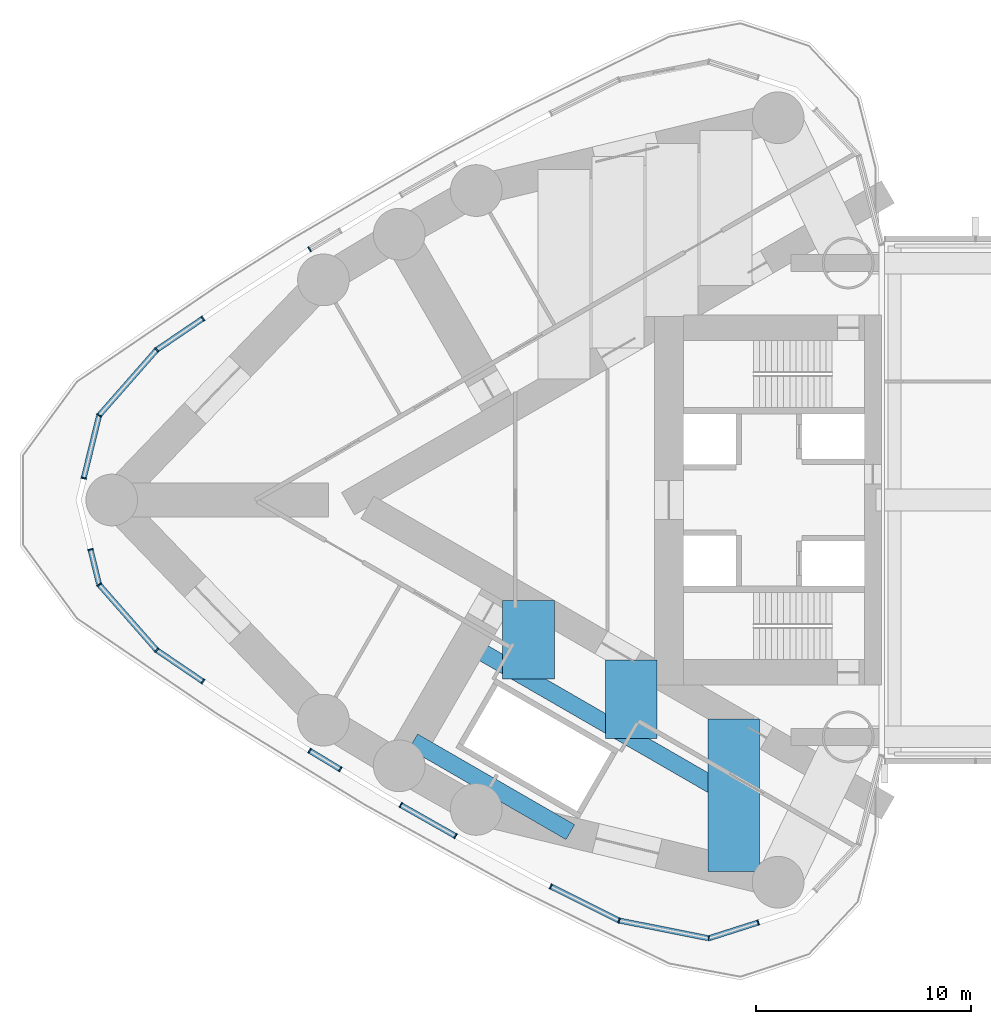
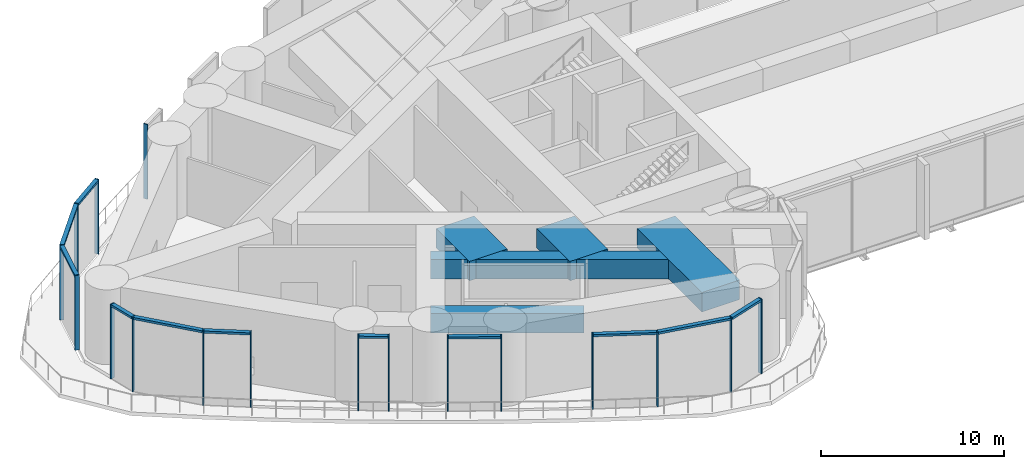
# One storey, part 2 of 22: 28 members, 5 beams, 6 elements without a shape of their own.
"""IFC4 building model written with IfcOpenShell, lengths in metres."""

from ifc_helpers import new_model, si_unit, direction, frame, origin, origin_2d, place, context, subcontext, project, spatial, rectangle, hollow_rectangle, extrude, material, material_profile, profile_set, type_object, element, aggregate, save


model = new_model("IFC4")

# Units and contexts
model_context = context("Model", 3, precision=1e-05, world=origin(), true_north=direction((0.0, 1.0)))
body_context = subcontext(model_context, "Body", "Model", "MODEL_VIEW")
ifc_project = project(units=[si_unit("LENGTHUNIT", "METRE"), si_unit("AREAUNIT", "SQUARE_METRE"), si_unit("VOLUMEUNIT", "CUBIC_METRE"), si_unit("PLANEANGLEUNIT", "RADIAN"), si_unit("MASSUNIT", "GRAM", prefix="KILO")], contexts=[model_context])

# Site, building, storey
site_placement = place(None, origin())
site = spatial("IfcSite", under=ifc_project, at=site_placement, CompositionType="ELEMENT")
building_placement = place(site_placement, origin())
building = spatial("IfcBuilding", under=site, at=building_placement, Name="Lancet Gate Hotel", CompositionType="ELEMENT")
storey_placement = place(building_placement, frame((0.0, 0.0, 210.300048828125)))
storey = spatial("IfcBuildingStorey", under=building, at=storey_placement, Name="L56", CompositionType="ELEMENT", Elevation=210.300048828125)

# Curtain wall, member
ifc_material_1 = material(Name="Aluminium curtain wall", Category="aluminium")
curtain_wall_type = type_object("IfcCurtainWallType", Name="Refuge storey louvred curtain wall", PredefinedType="USERDEFINED", material=ifc_material_1)
curtain_wall_1_placement = place(storey_placement, origin())
curtain_wall_1 = element("IfcCurtainWall", 1, at=curtain_wall_1_placement, inside=storey, type_object=curtain_wall_type, Name="T1 L56 curtain wall 5", ObjectType="LANTERN GLAZING", PredefinedType="USERDEFINED")
ifc_material_2 = material(Name="Aluminium mullion", Category="aluminium")
ifc_material_profile_1 = material_profile(ifc_material_2, rectangle(XDim=0.06494140625, YDim=0.25, at=origin_2d()), Name="MULLION 65x250")
ifc_profile_set_1 = profile_set([ifc_material_profile_1], Name="Aluminium mullion")
member_type_1 = type_object("IfcMemberType", Name="Aluminium mullion 65x250", PredefinedType="MULLION", material=ifc_profile_set_1)
member_1_placement = place(storey_placement, frame((-54.053466796875, 11.639404296875, 0.0), z_axis=(0.0, 0.0, 1.0), x_axis=(-0.85636984205, -0.516362947574, 0.0)))
member_1 = element("IfcMember", 2, at=member_1_placement, type_object=member_type_1, Name="T1 L56 curtain wall 5 mullion 2", PredefinedType="MULLION", context=body_context, shape_type="SweptSolid", body=[
    extrude(rectangle(XDim=0.06494140625, YDim=0.25, at=origin_2d()), origin(), (0.0, 0.0, 1.0), 5.0),
])
aggregate(curtain_wall_1, [member_1])

# Curtain wall, members
curtain_wall_2_placement = place(storey_placement, origin())
curtain_wall_2 = element("IfcCurtainWall", 3, at=curtain_wall_2_placement, inside=storey, type_object=curtain_wall_type, Name="T1 L56 curtain wall 6", ObjectType="LANTERN GLAZING", PredefinedType="USERDEFINED")
member_2_placement = place(storey_placement, frame((-59.001708984375, 8.427978515625, 0.0), z_axis=(0.0, 0.0, 1.0), x_axis=(-0.827342052281, -0.561698432014, 0.0)))
member_2 = element("IfcMember", 4, at=member_2_placement, type_object=member_type_1, Name="T1 L56 curtain wall 6 mullion 1", PredefinedType="MULLION", context=body_context, shape_type="SweptSolid", body=[
    extrude(rectangle(XDim=0.06494140625, YDim=0.25, at=origin_2d()), origin(), (0.0, 0.0, 1.0), 5.0),
])
member_3_placement = place(storey_placement, frame((-61.15283203125, 6.967529296875, 0.0), z_axis=(0.0, 0.0, 1.0), x_axis=(-0.731008127423, -0.682368754884, 0.0)))
member_3 = element("IfcMember", 5, at=member_3_placement, type_object=member_type_1, Name="T1 L56 curtain wall 6 mullion 2", PredefinedType="MULLION", context=body_context, shape_type="SweptSolid", body=[
    extrude(rectangle(XDim=0.06494140625, YDim=0.25, at=origin_2d()), origin(), (0.0, 0.0, 1.0), 5.0),
])
member_4_placement = place(storey_placement, frame((-63.822021484375, 3.928466796875, 0.0), z_axis=(0.0, 0.0, 1.0), x_axis=(-0.493976470452, -0.869475270862, 0.0)))
member_4 = element("IfcMember", 6, at=member_4_placement, type_object=member_type_1, Name="T1 L56 curtain wall 6 mullion 3", PredefinedType="MULLION", context=body_context, shape_type="SweptSolid", body=[
    extrude(rectangle(XDim=0.06494140625, YDim=0.25, at=origin_2d()), origin(), (0.0, 0.0, 1.0), 5.0),
])
member_5_placement = place(storey_placement, frame((-64.536376953125, 1.01220703125, 0.0), z_axis=(0.0, 0.0, 1.0), x_axis=(-0.237921018621, -0.971284504612, 0.0)))
member_5 = element("IfcMember", 7, at=member_5_placement, type_object=member_type_1, Name="T1 L56 curtain wall 6 mullion 4", PredefinedType="MULLION", context=body_context, shape_type="SweptSolid", body=[
    extrude(rectangle(XDim=0.06494140625, YDim=0.25, at=origin_2d()), origin(), (0.0, 0.0, 1.0), 5.0),
])

curtain_wall_3_placement = place(storey_placement, origin())
curtain_wall_3 = element("IfcCurtainWall", 8, at=curtain_wall_3_placement, inside=storey, type_object=curtain_wall_type, Name="T1 L56 curtain wall 7", ObjectType="LANTERN GLAZING", PredefinedType="USERDEFINED")
member_6_placement = place(storey_placement, frame((-64.2216796875, -2.29638671875, 0.0), z_axis=(0.0, 0.0, 1.0), x_axis=(0.237921018621, -0.971284504612, 0.0)))
member_6 = element("IfcMember", 9, at=member_6_placement, type_object=member_type_1, Name="T1 L56 curtain wall 7 mullion 1", PredefinedType="MULLION", context=body_context, shape_type="SweptSolid", body=[
    extrude(rectangle(XDim=0.06494140625, YDim=0.25, at=origin_2d()), origin(), (0.0, 0.0, 1.0), 5.0),
])
member_7_placement = place(storey_placement, frame((-63.822021484375, -3.928466796875, 0.0), z_axis=(0.0, 0.0, 1.0), x_axis=(0.549086163587, -0.835765747658, 0.0)))
member_7 = element("IfcMember", 10, at=member_7_placement, type_object=member_type_1, Name="T1 L56 curtain wall 7 mullion 2", PredefinedType="MULLION", context=body_context, shape_type="SweptSolid", body=[
    extrude(rectangle(XDim=0.06494140625, YDim=0.25, at=origin_2d()), origin(), (0.0, 0.0, 1.0), 5.0),
])
member_8_placement = place(storey_placement, frame((-61.15283203125, -6.967529296875, 0.0), z_axis=(0.0, 0.0, 1.0), x_axis=(0.731008127423, -0.682368754884, 0.0)))
member_8 = element("IfcMember", 11, at=member_8_placement, type_object=member_type_1, Name="T1 L56 curtain wall 7 mullion 3", PredefinedType="MULLION", context=body_context, shape_type="SweptSolid", body=[
    extrude(rectangle(XDim=0.06494140625, YDim=0.25, at=origin_2d()), origin(), (0.0, 0.0, 1.0), 5.0),
])
member_9_placement = place(storey_placement, frame((-59.001708984375, -8.427978515625, 0.0), z_axis=(0.0, 0.0, 1.0), x_axis=(0.827342052281, -0.561698432014, 0.0)))
member_9 = element("IfcMember", 12, at=member_9_placement, type_object=member_type_1, Name="T1 L56 curtain wall 7 mullion 4", PredefinedType="MULLION", context=body_context, shape_type="SweptSolid", body=[
    extrude(rectangle(XDim=0.06494140625, YDim=0.25, at=origin_2d()), origin(), (0.0, 0.0, 1.0), 5.0),
])

curtain_wall_4_placement = place(storey_placement, origin())
curtain_wall_4 = element("IfcCurtainWall", 13, at=curtain_wall_4_placement, inside=storey, type_object=curtain_wall_type, Name="T1 L56 curtain wall 8", ObjectType="LANTERN GLAZING", PredefinedType="USERDEFINED")
member_10_placement = place(storey_placement, frame((-54.053466796875, -11.639404296875, 0.0), z_axis=(0.0, 0.0, 1.0), x_axis=(0.85636984205, -0.516362947574, 0.0)))
member_10 = element("IfcMember", 14, at=member_10_placement, type_object=member_type_1, Name="T1 L56 curtain wall 8 mullion 1", PredefinedType="MULLION", context=body_context, shape_type="SweptSolid", body=[
    extrude(rectangle(XDim=0.06494140625, YDim=0.25, at=origin_2d()), origin(), (0.0, 0.0, 1.0), 5.0),
])
member_11_placement = place(storey_placement, frame((-52.623291015625, -12.501708984375, 0.0), z_axis=(0.0, 0.0, 1.0), x_axis=(0.85636984205, -0.516362947574, 0.0)))
member_11 = element("IfcMember", 15, at=member_11_placement, type_object=member_type_1, Name="T1 L56 curtain wall 8 mullion 2", PredefinedType="MULLION", context=body_context, shape_type="SweptSolid", body=[
    extrude(rectangle(XDim=0.06494140625, YDim=0.25, at=origin_2d()), origin(), (0.0, 0.0, 1.0), 5.0),
])

curtain_wall_5_placement = place(storey_placement, origin())
curtain_wall_5 = element("IfcCurtainWall", 16, at=curtain_wall_5_placement, inside=storey, type_object=curtain_wall_type, Name="T1 L56 curtain wall 9", ObjectType="LANTERN GLAZING", PredefinedType="USERDEFINED")
member_12_placement = place(storey_placement, frame((-49.82421875, -14.158935546875, 0.0), z_axis=(0.0, 0.0, 1.0), x_axis=(0.869958082404, -0.493125678565, 0.0)))
member_12 = element("IfcMember", 17, at=member_12_placement, type_object=member_type_1, Name="T1 L56 curtain wall 9 mullion 1", PredefinedType="MULLION", context=body_context, shape_type="SweptSolid", body=[
    extrude(rectangle(XDim=0.06494140625, YDim=0.25, at=origin_2d()), origin(), (0.0, 0.0, 1.0), 5.0),
])
member_13_placement = place(storey_placement, frame((-47.27392578125, -15.6044921875, 0.0), z_axis=(0.0, 0.0, 1.0), x_axis=(0.869958082404, -0.493125678565, 0.0)))
member_13 = element("IfcMember", 18, at=member_13_placement, type_object=member_type_1, Name="T1 L56 curtain wall 9 mullion 2", PredefinedType="MULLION", context=body_context, shape_type="SweptSolid", body=[
    extrude(rectangle(XDim=0.06494140625, YDim=0.25, at=origin_2d()), origin(), (0.0, 0.0, 1.0), 5.0),
])

curtain_wall_6_placement = place(storey_placement, origin())
curtain_wall_6 = element("IfcCurtainWall", 19, at=curtain_wall_6_placement, inside=storey, type_object=curtain_wall_type, Name="T1 L56 curtain wall 10", ObjectType="LANTERN GLAZING", PredefinedType="USERDEFINED")
member_14_placement = place(storey_placement, frame((-42.859619140625, -17.94091796875, 0.0), z_axis=(0.0, 0.0, 1.0), x_axis=(0.895234030262, -0.445596264639, 0.0)))
member_14 = element("IfcMember", 20, at=member_14_placement, type_object=member_type_1, Name="T1 L56 curtain wall 10 mullion 1", PredefinedType="MULLION", context=body_context, shape_type="SweptSolid", body=[
    extrude(rectangle(XDim=0.06494140625, YDim=0.25, at=origin_2d()), origin(), (0.0, 0.0, 1.0), 5.0),
])
member_15_placement = place(storey_placement, frame((-39.684814453125, -19.521240234375, 0.0), z_axis=(0.0, 0.0, 1.0), x_axis=(0.95020121763, -0.311637042108, 0.0)))
member_15 = element("IfcMember", 21, at=member_15_placement, type_object=member_type_1, Name="T1 L56 curtain wall 10 mullion 2", PredefinedType="MULLION", context=body_context, shape_type="SweptSolid", body=[
    extrude(rectangle(XDim=0.06494140625, YDim=0.25, at=origin_2d()), origin(), (0.0, 0.0, 1.0), 5.0),
])
member_16_placement = place(storey_placement, frame((-35.520751953125, -20.347900390625, 0.0), z_axis=(0.0, 0.0, 1.0), x_axis=(0.999895049228, -0.014487599169, 0.0)))
member_16 = element("IfcMember", 22, at=member_16_placement, type_object=member_type_1, Name="T1 L56 curtain wall 10 mullion 3", PredefinedType="MULLION", context=body_context, shape_type="SweptSolid", body=[
    extrude(rectangle(XDim=0.06494140625, YDim=0.25, at=origin_2d()), origin(), (0.0, 0.0, 1.0), 5.0),
])
member_17_placement = place(storey_placement, frame((-33.222900390625, -19.61474609375, 0.0), z_axis=(0.0, 0.0, 1.0), x_axis=(0.952695666833, 0.303925922549, 0.0)))
member_17 = element("IfcMember", 23, at=member_17_placement, type_object=member_type_1, Name="T1 L56 curtain wall 10 mullion 4", PredefinedType="MULLION", context=body_context, shape_type="SweptSolid", body=[
    extrude(rectangle(XDim=0.06494140625, YDim=0.25, at=origin_2d()), origin(), (0.0, 0.0, 1.0), 5.0),
])

# Member
ifc_material_3 = material(Name="Aluminium transom", Category="aluminium")
ifc_material_profile_2 = material_profile(ifc_material_3, rectangle(XDim=0.25, YDim=0.14990234375, at=origin_2d()), Name="TRANSOM 250x150")
ifc_profile_set_2 = profile_set([ifc_material_profile_2], Name="Aluminium transom")
member_type_2 = type_object("IfcMemberType", Name="Aluminium transom 250x150", PredefinedType="USERDEFINED", material=ifc_profile_set_2)
member_18_placement = place(storey_placement, frame((-59.02880859375, 8.40966796875, 4.925048828125), z_axis=(-0.8273383022, -0.561703955579, 0.0), x_axis=(0.561703955579, -0.8273383022, 0.0)))
member_18 = element("IfcMember", 24, at=member_18_placement, type_object=member_type_2, Name="T1 L56 curtain wall 6 transom 1", ObjectType="TRANSOM", PredefinedType="USERDEFINED", context=body_context, shape_type="SweptSolid", body=[
    extrude(rectangle(XDim=0.25, YDim=0.14990234375, at=origin_2d()), origin(), (0.0, 0.0, 1.0), 2.534912109375),
])

member_19_placement = place(storey_placement, frame((-61.17431640625, 6.943115234375, 4.925048828125), z_axis=(-0.659893258593, -0.751359359603, 0.0), x_axis=(0.751359359603, -0.659893258593, 0.0)))
member_19 = element("IfcMember", 25, at=member_19_placement, type_object=member_type_2, Name="T1 L56 curtain wall 6 transom 2", ObjectType="TRANSOM", PredefinedType="USERDEFINED", context=body_context, shape_type="SweptSolid", body=[
    extrude(rectangle(XDim=0.25, YDim=0.14990234375, at=origin_2d()), origin(), (0.0, 0.0, 1.0), 3.979736328125),
])

member_20_placement = place(storey_placement, frame((-63.829833984375, 3.89697265625, 4.925048828125), z_axis=(-0.237859128516, -0.971299662813, 0.0), x_axis=(0.971299662813, -0.237859128516, 0.0)))
member_20 = element("IfcMember", 26, at=member_20_placement, type_object=member_type_2, Name="T1 L56 curtain wall 6 transom 3", ObjectType="TRANSOM", PredefinedType="USERDEFINED", context=body_context, shape_type="SweptSolid", body=[
    extrude(rectangle(XDim=0.25, YDim=0.14990234375, at=origin_2d()), origin(), (0.0, 0.0, 1.0), 2.9375),
])

aggregate(curtain_wall_2, [member_2, member_3, member_4, member_5, member_18, member_19, member_20])

member_21_placement = place(storey_placement, frame((-64.214111328125, -2.328125, 4.925048828125), z_axis=(0.237909471263, -0.971287333122, 0.0), x_axis=(0.971287333122, 0.237909471263, 0.0)))
member_21 = element("IfcMember", 27, at=member_21_placement, type_object=member_type_2, Name="T1 L56 curtain wall 7 transom 1", ObjectType="TRANSOM", PredefinedType="USERDEFINED", context=body_context, shape_type="SweptSolid", body=[
    extrude(rectangle(XDim=0.25, YDim=0.14990234375, at=origin_2d()), origin(), (0.0, 0.0, 1.0), 1.615234375),
])

member_22_placement = place(storey_placement, frame((-63.800537109375, -3.952880859375, 4.925048828125), z_axis=(0.659893258593, -0.751359359603, 0.0), x_axis=(0.751359359603, 0.659893258593, 0.0)))
member_22 = element("IfcMember", 28, at=member_22_placement, type_object=member_type_2, Name="T1 L56 curtain wall 7 transom 2", ObjectType="TRANSOM", PredefinedType="USERDEFINED", context=body_context, shape_type="SweptSolid", body=[
    extrude(rectangle(XDim=0.25, YDim=0.14990234375, at=origin_2d()), origin(), (0.0, 0.0, 1.0), 3.979736328125),
])

member_23_placement = place(storey_placement, frame((-61.1259765625, -6.98583984375, 4.925048828125), z_axis=(0.8273383022, -0.561703955579, 0.0), x_axis=(0.561703955579, 0.8273383022, 0.0)))
member_23 = element("IfcMember", 29, at=member_23_placement, type_object=member_type_2, Name="T1 L56 curtain wall 7 transom 3", ObjectType="TRANSOM", PredefinedType="USERDEFINED", context=body_context, shape_type="SweptSolid", body=[
    extrude(rectangle(XDim=0.25, YDim=0.14990234375, at=origin_2d()), origin(), (0.0, 0.0, 1.0), 2.534912109375),
])

aggregate(curtain_wall_3, [member_6, member_7, member_8, member_9, member_21, member_22, member_23])

member_24_placement = place(storey_placement, frame((-54.025634765625, -11.65625, 4.925048828125), z_axis=(0.85641729295, -0.516284243743, 0.0), x_axis=(0.516284243743, 0.85641729295, 0.0)))
member_24 = element("IfcMember", 30, at=member_24_placement, type_object=member_type_2, Name="T1 L56 curtain wall 8 transom 1", ObjectType="TRANSOM", PredefinedType="USERDEFINED", context=body_context, shape_type="SweptSolid", body=[
    extrude(rectangle(XDim=0.25, YDim=0.14990234375, at=origin_2d()), origin(), (0.0, 0.0, 1.0), 1.60498046875),
])

aggregate(curtain_wall_4, [member_10, member_11, member_24])

member_25_placement = place(storey_placement, frame((-49.7958984375, -14.1748046875, 4.925048828125), z_axis=(0.869946674154, -0.493145804127, 0.0), x_axis=(0.493145804127, 0.869946674154, 0.0)))
member_25 = element("IfcMember", 31, at=member_25_placement, type_object=member_type_2, Name="T1 L56 curtain wall 9 transom 1", ObjectType="TRANSOM", PredefinedType="USERDEFINED", context=body_context, shape_type="SweptSolid", body=[
    extrude(rectangle(XDim=0.25, YDim=0.14990234375, at=origin_2d()), origin(), (0.0, 0.0, 1.0), 2.866455078125),
])

aggregate(curtain_wall_5, [member_12, member_13, member_25])

member_26_placement = place(storey_placement, frame((-42.83056640625, -17.95556640625, 4.925048828125), z_axis=(0.895239182605, -0.445585913072, 0.0), x_axis=(0.445585913072, 0.895239182605, 0.0)))
member_26 = element("IfcMember", 32, at=member_26_placement, type_object=member_type_2, Name="T1 L56 curtain wall 10 transom 1", ObjectType="TRANSOM", PredefinedType="USERDEFINED", context=body_context, shape_type="SweptSolid", body=[
    extrude(rectangle(XDim=0.25, YDim=0.14990234375, at=origin_2d()), origin(), (0.0, 0.0, 1.0), 3.4814453125),
])

member_27_placement = place(storey_placement, frame((-39.65283203125, -19.527587890625, 4.925048828125), z_axis=(0.980858234867, -0.194723196085, 0.0), x_axis=(0.194723196085, 0.980858234867, 0.0)))
member_27 = element("IfcMember", 33, at=member_27_placement, type_object=member_type_2, Name="T1 L56 curtain wall 10 transom 2", ObjectType="TRANSOM", PredefinedType="USERDEFINED", context=body_context, shape_type="SweptSolid", body=[
    extrude(rectangle(XDim=0.25, YDim=0.14990234375, at=origin_2d()), origin(), (0.0, 0.0, 1.0), 4.18017578125),
])

member_28_placement = place(storey_placement, frame((-35.48974609375, -20.338134765625, 4.925048828125), z_axis=(0.952682287668, 0.303967858109, 0.0), x_axis=(-0.303967858109, 0.952682287668, 0.0)))
member_28 = element("IfcMember", 34, at=member_28_placement, type_object=member_type_2, Name="T1 L56 curtain wall 10 transom 3", ObjectType="TRANSOM", PredefinedType="USERDEFINED", context=body_context, shape_type="SweptSolid", body=[
    extrude(rectangle(XDim=0.25, YDim=0.14990234375, at=origin_2d()), origin(), (0.0, 0.0, 1.0), 2.346923828125),
])

aggregate(curtain_wall_6, [member_14, member_15, member_16, member_17, member_26, member_27, member_28])

# Beams
ifc_material_4 = material(Name="Concrete C50/60", Category="concrete")
ifc_material_profile_3 = material_profile(ifc_material_4, rectangle(XDim=2.39990234375, YDim=1.300048828125, at=origin_2d()), Name="RC 2400x1300")
ifc_profile_set_3 = profile_set([ifc_material_profile_3], Name="Concrete C50/60")
beam_type_1 = type_object("IfcBeamType", Name="Floor beam RC 2400x1300", PredefinedType="BEAM", material=ifc_profile_set_3)
beam_1_placement = place(storey_placement, frame((-34.353515625, -10.169921875, 4.099853515625), z_axis=(0.0, -1.0, 0.0), x_axis=(1.0, 0.0, 0.0)))
element("IfcBeam", 35, at=beam_1_placement, inside=storey, type_object=beam_type_1, Name="T1 floor beam F01N L56", PredefinedType="BEAM", context=body_context, shape_type="SweptSolid", body=[
    extrude(rectangle(XDim=2.39990234375, YDim=1.300048828125, at=origin_2d()), origin(), (0.0, 0.0, 1.0), 7.08056640625),
])
for number, where, z_axis, x_axis, name in (
    (36, (-39.122314453125, -7.41650390625, 4.099853515625), (0.0, -1.0, 0.0), (1.0, 0.0, 0.0), "T1 floor beam F04NA L56"),
    (37, (-43.891357421875, -4.663330078125, 4.099853515625), (0.0, -1.0, 0.0), (1.0, 0.0, 0.0), "T1 floor beam F07NA L56"),
):
    element("IfcBeam", number, at=place(storey_placement, frame(where, z_axis=z_axis, x_axis=x_axis)), inside=storey, type_object=beam_type_1, Name=name, PredefinedType="BEAM", context=body_context, shape_type="SweptSolid", body=[
        extrude(rectangle(XDim=2.39990234375, YDim=1.300048828125, at=origin_2d()), origin(), (0.0, 0.0, 1.0), 3.6455078125),
    ])
ifc_material_5 = material(Name="Steel S460QL", Category="steel")
ifc_material_profile_4 = material_profile(ifc_material_5, hollow_rectangle(XDim=0.800048828125, YDim=1.300048828125, WallThickness=0.080078125, at=origin_2d()), Name="BOX 1300x800x80")
ifc_profile_set_4 = profile_set([ifc_material_profile_4], Name="Steel S460QL")
beam_type_2 = type_object("IfcBeamType", Name="Trimmer beam BOX 1300x800x80", PredefinedType="BEAM", material=ifc_profile_set_4)
beam_2_placement = place(storey_placement, frame((-34.353515625, -13.8154296875, 4.099853515625), z_axis=(-0.866030612596, 0.499990977966, 0.0), x_axis=(-0.499990977966, -0.866030612596, 0.0)))
element("IfcBeam", 38, at=beam_2_placement, inside=storey, type_object=beam_type_2, Name="T1 trimmer beam TR01N L56", PredefinedType="BEAM", context=body_context, shape_type="SweptSolid", body=[
    extrude(hollow_rectangle(XDim=0.800048828125, YDim=1.300048828125, WallThickness=0.080078125, at=origin_2d()), origin(), (0.0, 0.0, 1.0), 14.192626953125),
])
beam_3_placement = place(storey_placement, frame((-41.945556640625, -15.419677734375, 4.099853515625), z_axis=(-0.866029143232, 0.499993523031, 0.0), x_axis=(-0.499993523031, -0.866029143232, 0.0)))
element("IfcBeam", 39, at=beam_3_placement, inside=storey, type_object=beam_type_2, Name="T1 trimmer beam TR02N L56", PredefinedType="BEAM", context=body_context, shape_type="SweptSolid", body=[
    extrude(hollow_rectangle(XDim=0.800048828125, YDim=1.300048828125, WallThickness=0.080078125, at=origin_2d()), origin(), (0.0, 0.0, 1.0), 8.419921875),
])

save(model, "model.ifc")
